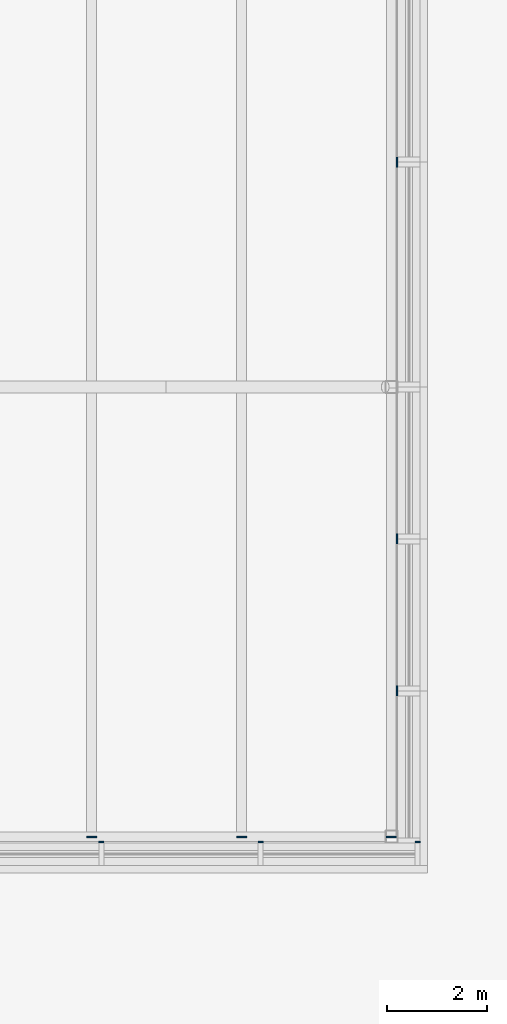
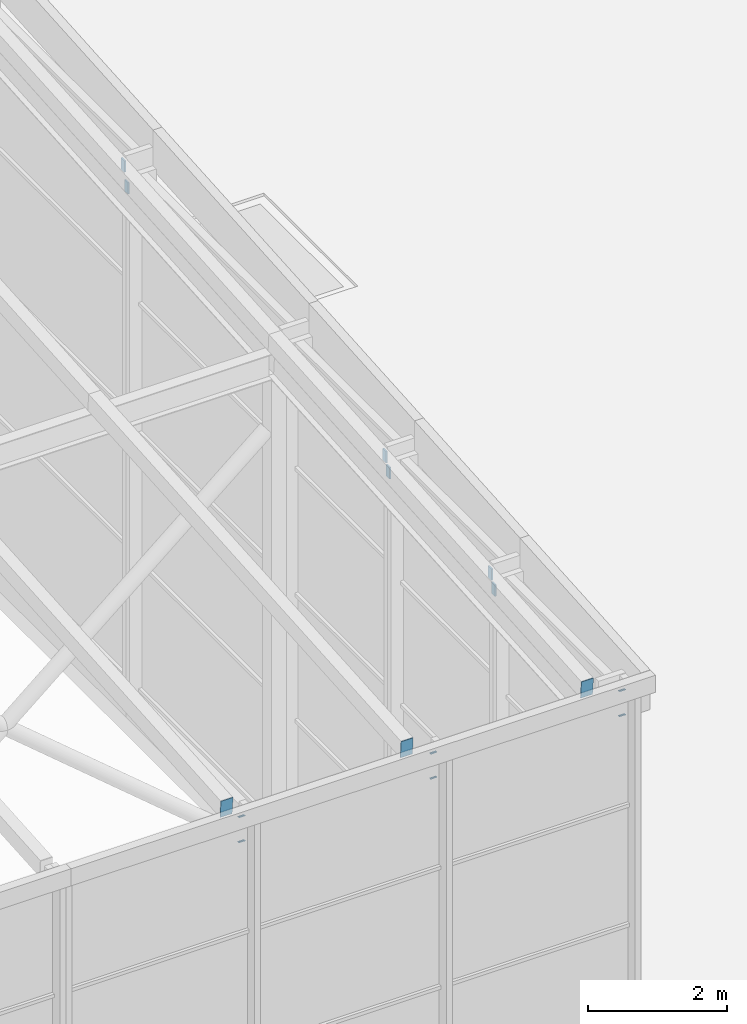
# One storey, part 68 of 84: 15 discrete accessories.
"""IFC4 building model written with IfcOpenShell, lengths in metres."""

from ifc_helpers import new_model, si_unit, direction, frame, origin, origin_2d, place, context, subcontext, project, spatial, rectangle, extrude, material, layer, layer_set, type_object, element, save


model = new_model("IFC4")

# Units and contexts
model_context = context("Model", 3, precision=1e-05, world=origin(), true_north=direction((0.0, 1.0)))
body_context = subcontext(model_context, "Body", "Model", "MODEL_VIEW")
ifc_project = project(units=[si_unit("LENGTHUNIT", "METRE"), si_unit("AREAUNIT", "SQUARE_METRE"), si_unit("VOLUMEUNIT", "CUBIC_METRE"), si_unit("PLANEANGLEUNIT", "RADIAN"), si_unit("MASSUNIT", "GRAM", prefix="KILO")], contexts=[model_context])

# Site, building, storey
site_placement = place(None, origin())
site = spatial("IfcSite", under=ifc_project, at=site_placement, CompositionType="ELEMENT")
building_placement = place(site_placement, origin())
building = spatial("IfcBuilding", under=site, at=building_placement, Name="Silverbay Arena", CompositionType="ELEMENT")
storey_placement = place(building_placement, frame((0.0, 0.0, 47.10009765625)))
storey = spatial("IfcBuildingStorey", under=building, at=storey_placement, Name="ROOF", CompositionType="ELEMENT", Elevation=47.10009765625)

# Discrete accessories
ifc_material_1 = material(Name="Steel S355", Category="steel")
ifc_layer = layer(ifc_material_1, 0.011962890625)
ifc_layer_set = layer_set([ifc_layer], Name="Steel S355")
discrete_accessory_type_1 = type_object("IfcDiscreteAccessoryType", Name="Purlin end plate 12", PredefinedType="USERDEFINED", material=ifc_layer_set)
for number, where, z_axis, x_axis, name in (
    (1, (174.0, 27.0, 8.74951171875), (0.0, -0.996684615823, -0.081362009455), (1.0, 0.0, 0.0), "Purlin end plate"),
    (2, (177.0, 27.0, 8.74951171875), (0.0, -0.996684615823, -0.081362009455), (1.0, 0.0, 0.0), "Purlin end plate"),
    (3, (180.0, 27.0, 8.74951171875), (0.0, -0.996684615823, -0.081362009455), (1.0, 0.0, 0.0), "Purlin end plate"),
):
    element("IfcDiscreteAccessory", number, at=place(storey_placement, frame(where, z_axis=z_axis, x_axis=x_axis)), inside=storey, type_object=discrete_accessory_type_1, Name=name, ObjectType="END PLATE", PredefinedType="USERDEFINED", context=body_context, shape_type="SweptSolid", body=[
        extrude(rectangle(XDim=0.199951171875, YDim=0.300048828125, at=origin_2d()), origin(), (0.0, 0.0, 1.0), 0.011962890625),
    ])
ifc_material_2 = material(Name="Steel S355", Category="steel")
discrete_accessory_type_2 = type_object("IfcDiscreteAccessoryType", Name="Steel bracket plate", PredefinedType="BRACKET", material=ifc_material_2)
for number, where, z_axis, x_axis, name in (
    (4, (174.191650390625, 26.89013671875, 8.58642578125), (0.0, 0.0, 1.0), (1.0, 0.0, 0.0), "Curtain wall packing plate"),
    (5, (174.191650390625, 26.89013671875, 8.145751953125), (0.0, 0.0, 1.0), (1.0, 0.0, 0.0), "Curtain wall packing plate"),
    (6, (177.38330078125, 26.89013671875, 8.58642578125), (0.0, 0.0, 1.0), (1.0, 0.0, 0.0), "Curtain wall packing plate"),
    (7, (177.38330078125, 26.89013671875, 8.145751953125), (0.0, 0.0, 1.0), (1.0, 0.0, 0.0), "Curtain wall packing plate"),
    (8, (180.52490234375, 26.89013671875, 8.58642578125), (0.0, 0.0, 1.0), (1.0, 0.0, 0.0), "Curtain wall packing plate"),
    (9, (180.52490234375, 26.89013671875, 8.145751953125), (0.0, 0.0, 1.0), (1.0, 0.0, 0.0), "Curtain wall packing plate"),
):
    element("IfcDiscreteAccessory", number, at=place(storey_placement, frame(where, z_axis=z_axis, x_axis=x_axis)), inside=storey, type_object=discrete_accessory_type_2, Name=name, PredefinedType="BRACKET", context=body_context, shape_type="SweptSolid", body=[
        extrude(rectangle(XDim=0.10009765625, YDim=0.030029296875, at=origin_2d()), origin(), (0.0, 0.0, 1.0), 0.0126953125),
    ])
for number, where, z_axis, x_axis, name in (
    (10, (180.112548828125, 29.86669921875, 8.61083984375), (0.0, 0.0, 1.0), (1.0, 0.0, 0.0), "Curtain wall packing plate"),
    (11, (180.112548828125, 29.966552734375, 8.83056640625), (0.0, 0.0, 1.0), (1.0, 0.0, 0.0), "Curtain wall packing plate"),
    (12, (180.112548828125, 32.908447265625, 8.83056640625), (0.0, 0.0, 1.0), (1.0, 0.0, 0.0), "Curtain wall packing plate"),
    (13, (180.112548828125, 33.00830078125, 9.05029296875), (0.0, 0.0, 1.0), (1.0, 0.0, 0.0), "Curtain wall packing plate"),
    (14, (180.112548828125, 40.449951171875, 9.27001953125), (0.0, 0.0, 1.0), (1.0, 0.0, 0.0), "Curtain wall packing plate"),
    (15, (180.112548828125, 40.550048828125, 9.5947265625), (0.0, 0.0, 1.0), (1.0, 0.0, 0.0), "Curtain wall packing plate"),
):
    element("IfcDiscreteAccessory", number, at=place(storey_placement, frame(where, z_axis=z_axis, x_axis=x_axis)), inside=storey, type_object=discrete_accessory_type_2, Name=name, PredefinedType="BRACKET", context=body_context, shape_type="SweptSolid", body=[
        extrude(rectangle(XDim=0.02490234375, YDim=0.10009765625, at=origin_2d()), origin(), (0.0, 0.0, 1.0), 0.199951171875),
    ])

save(model, "model.ifc")
